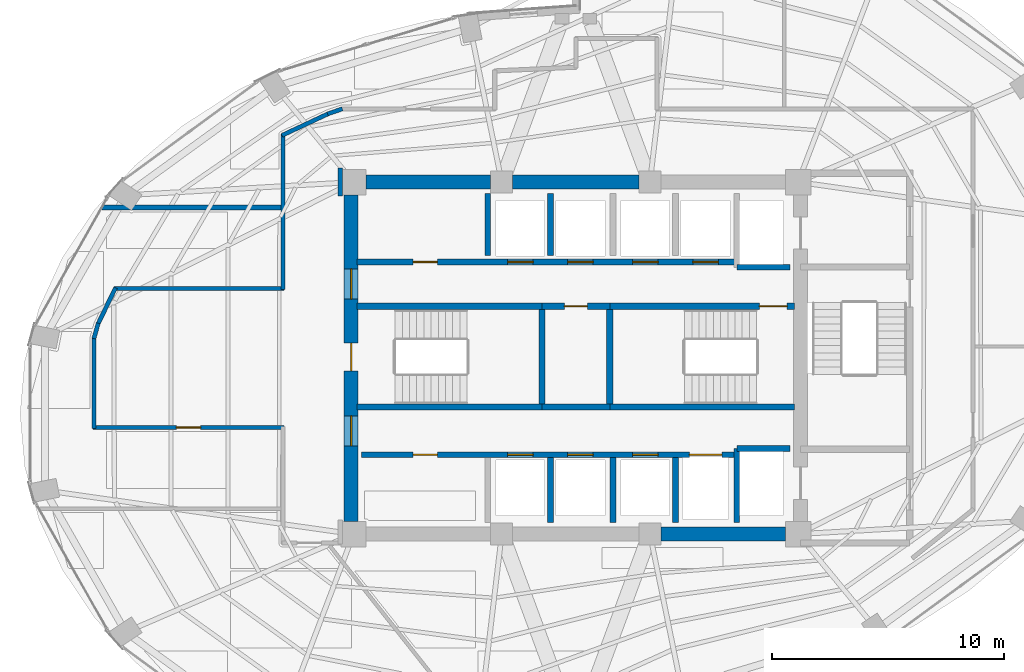
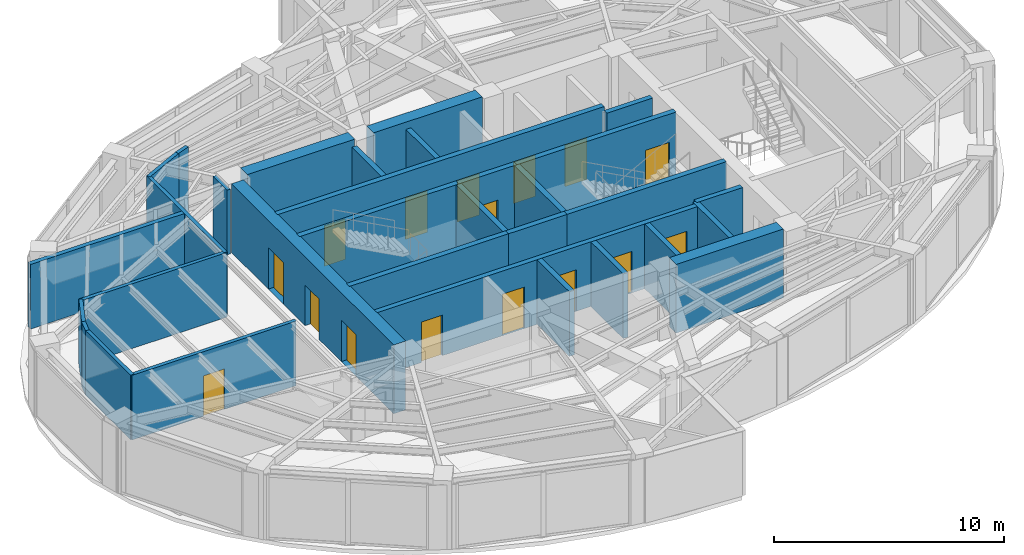
# One storey, part 16 of 20: 32 walls, 16 doors, 16 openings.
"""IFC4 building model written with IfcOpenShell, lengths in metres."""

from ifc_helpers import new_model, si_unit, direction, frame, frame_2d, origin, place, context, subcontext, project, spatial, rectangle, extrude, material, layer, layer_set, type_object, element, fill, save


model = new_model("IFC4")

# Units and contexts
model_context = context("Model", 3, precision=1e-05, world=origin(), true_north=direction((0.0, 1.0)))
body_context = subcontext(model_context, "Body", "Model", "MODEL_VIEW")
ifc_project = project(units=[si_unit("LENGTHUNIT", "METRE"), si_unit("AREAUNIT", "SQUARE_METRE"), si_unit("VOLUMEUNIT", "CUBIC_METRE"), si_unit("PLANEANGLEUNIT", "RADIAN"), si_unit("MASSUNIT", "GRAM", prefix="KILO")], contexts=[model_context])

# Site, building, storey
site_placement = place(None, origin())
site = spatial("IfcSite", under=ifc_project, at=site_placement, CompositionType="ELEMENT")
building_placement = place(site_placement, origin())
building = spatial("IfcBuilding", under=site, at=building_placement, Name="Lazwardi Medical Tower", CompositionType="ELEMENT")
storey_placement = place(building_placement, frame((0.0, 0.0, 149.23193359375)))
storey = spatial("IfcBuildingStorey", under=building, at=storey_placement, Name="L38", CompositionType="ELEMENT", Elevation=149.23193359375)

# Walls
ifc_material_1 = material(Name="Fire-rated gypsum board on steel stud", Category="steel")
ifc_layer_1 = layer(ifc_material_1, 0.179931640625)
ifc_layer_set_1 = layer_set([ifc_layer_1], Name="Fire-rated gypsum board on steel stud")
wall_type_1 = type_object("IfcWallType", Name="WL-COR-180", PredefinedType="PARTITIONING", material=ifc_layer_set_1)
wall_1_placement = place(storey_placement, frame((15.350341796875, 29.435791015625, 0.0), z_axis=(0.0, 0.0, 1.0), x_axis=(0.436196025907, 0.899851669434, 0.0)))
element("IfcWall", 1, at=wall_1_placement, inside=storey, type_object=wall_type_1, Name="L38 Corridor partition 1", PredefinedType="PARTITIONING", context=body_context, shape_type="SweptSolid", body=[
    extrude(rectangle(XDim=1.778076171875, YDim=0.179931640625, at=frame_2d((0.88916015625, 0.0))), origin(), (0.0, 0.0, 1.0), 3.427978515625),
])
wall_2_placement = place(storey_placement, frame((16.068359375, 31.0, 0.0), z_axis=(0.0, 0.0, 1.0), x_axis=(1.0, 0.0, 0.0)))
element("IfcWall", 2, at=wall_2_placement, inside=storey, type_object=wall_type_1, Name="L38 Corridor partition 2", PredefinedType="PARTITIONING", context=body_context, shape_type="SweptSolid", body=[
    extrude(rectangle(XDim=7.321533203125, YDim=0.179931640625, at=frame_2d((3.66064453125, 0.0))), origin(), (0.0, 0.0, 1.0), 3.427978515625),
])
wall_3_placement = place(storey_placement, frame((23.35009765625, 30.9599609375, 0.0), z_axis=(0.0, 0.0, 1.0), x_axis=(0.0, 1.0, 0.0)))
element("IfcWall", 3, at=wall_3_placement, inside=storey, type_object=wall_type_1, Name="L38 Corridor partition 3", PredefinedType="PARTITIONING", context=body_context, shape_type="SweptSolid", body=[
    extrude(rectangle(XDim=6.7138671875, YDim=0.179931640625, at=frame_2d((3.35693359375, 0.0))), origin(), (0.0, 0.0, 1.0), 3.427978515625),
])
wall_4_placement = place(storey_placement, frame((23.313720703125, 37.616943359375, 0.0), z_axis=(0.0, 0.0, 1.0), x_axis=(0.905731790856, 0.423851298255, 0.0)))
element("IfcWall", 4, at=wall_4_placement, inside=storey, type_object=wall_type_1, Name="L38 Corridor partition 4", PredefinedType="PARTITIONING", context=body_context, shape_type="SweptSolid", body=[
    extrude(rectangle(XDim=2.255126953125, YDim=0.179931640625, at=frame_2d((1.12744140625, 0.0))), origin(), (0.0, 0.0, 1.0), 3.427978515625),
])
wall_5_placement = place(storey_placement, frame((25.2822265625, 38.54248046875, 0.0), z_axis=(0.0, 0.0, 1.0), x_axis=(0.94508059942, 0.326837361085, 0.0)))
element("IfcWall", 5, at=wall_5_placement, inside=storey, type_object=wall_type_1, Name="L38 Corridor partition 5", PredefinedType="PARTITIONING", context=body_context, shape_type="SweptSolid", body=[
    extrude(rectangle(XDim=0.67529296875, YDim=0.179931640625, at=frame_2d((0.337646484375, 0.0))), origin(), (0.0, 0.0, 1.0), 3.427978515625),
])
wall_6_placement = place(storey_placement, frame((25.830078125, 36.2099609375, 0.0), z_axis=(0.0, 0.0, 1.0), x_axis=(0.0, -1.0, 0.0)))
element("IfcWall", 6, at=wall_6_placement, inside=storey, type_object=wall_type_1, Name="L38 Corridor partition 15", PredefinedType="PARTITIONING", context=body_context, shape_type="SweptSolid", body=[
    extrude(rectangle(XDim=1.219970703125, YDim=0.179931640625, at=frame_2d((0.60986328125, 0.0))), origin(), (0.0, 0.0, 1.0), 3.427978515625),
])

# Wall, opening, door
wall_7_placement = place(storey_placement, frame((23.389892578125, 25.0, 0.0), z_axis=(0.0, 0.0, 1.0), x_axis=(-1.0, 0.0, 0.0)))
wall_7 = element("IfcWall", 7, at=wall_7_placement, inside=storey, type_object=wall_type_1, Name="L38 Corridor partition 19", PredefinedType="PARTITIONING", context=body_context, shape_type="SweptSolid", body=[
    extrude(rectangle(XDim=8.22998046875, YDim=0.179931640625, at=frame_2d((4.114990234375, 0.0))), origin(), (0.0, 0.0, 1.0), 3.427978515625),
])
opening_1_placement = place(wall_7_placement, frame((3.590087890625, 0.0, 0.0)))
opening_1 = element("IfcOpeningElement", 8, at=opening_1_placement, cuts=wall_7, Name="Opening D-L38-008", PredefinedType="OPENING", context=body_context, shape_type="SweptSolid", body=[
    extrude(rectangle(XDim=1.050048828125, YDim=2.14990234375, at=frame_2d((0.52490234375, 1.074951171875))), frame((0.0, 0.099853515625, 0.0), z_axis=(0.0, -1.0, 0.0), x_axis=(1.0, 0.0, 0.0)), (0.0, 0.0, 1.0), 0.199951171875),
])
ifc_material_2 = material(Name="Anti-microbial laminate hospital leaf")
door_type_1 = type_object("IfcDoorType", Name="DR-CLN-1050", OperationType="NOTDEFINED", PredefinedType="DOOR", material=ifc_material_2)
door_1_placement = place(opening_1_placement, origin())
door_1 = element("IfcDoor", 9, at=door_1_placement, inside=storey, type_object=door_type_1, Name="L38 Outpatient Clinic Door 01", OperationType="SINGLE_SWING_RIGHT", OverallHeight=2.14990234375, OverallWidth=1.050048828125, PredefinedType="DOOR", context=body_context, shape_type="SweptSolid", body=[
    extrude(rectangle(XDim=1.050048828125, YDim=2.14990234375, at=frame_2d((0.52490234375, 1.074951171875))), frame((0.0, 0.02490234375, 0.0), z_axis=(0.0, -1.0, 0.0), x_axis=(1.0, 0.0, 0.0)), (0.0, 0.0, 1.0), 0.050048828125),
])
fill(opening_1, door_1)

# Walls
wall_8_placement = place(storey_placement, frame((15.199951171875, 24.9599609375, 0.0), z_axis=(0.0, 0.0, 1.0), x_axis=(0.0, 1.0, 0.0)))
element("IfcWall", 10, at=wall_8_placement, inside=storey, type_object=wall_type_1, Name="L38 Corridor partition 20", PredefinedType="PARTITIONING", context=body_context, shape_type="SweptSolid", body=[
    extrude(rectangle(XDim=3.961181640625, YDim=0.179931640625, at=frame_2d((1.98046875, 0.0))), origin(), (0.0, 0.0, 1.0), 3.427978515625),
])
wall_9_placement = place(storey_placement, frame((15.189208984375, 28.842529296875, 0.0), z_axis=(0.0, 0.0, 1.0), x_axis=(0.272862960331, 0.962052911684, 0.0)))
element("IfcWall", 11, at=wall_9_placement, inside=storey, type_object=wall_type_1, Name="L38 Corridor partition 21", PredefinedType="PARTITIONING", context=body_context, shape_type="SweptSolid", body=[
    extrude(rectangle(XDim=0.6943359375, YDim=0.179931640625, at=frame_2d((0.34716796875, 0.0))), origin(), (0.0, 0.0, 1.0), 3.427978515625),
])

# Wall, openings, doors
ifc_material_3 = material(Name="Concrete C60/75", Category="concrete")
ifc_layer_2 = layer(ifc_material_3, 0.60009765625)
ifc_layer_set_2 = layer_set([ifc_layer_2], Name="Concrete C60/75")
wall_type_2 = type_object("IfcWallType", Name="WL-CORE-600", PredefinedType="SHEAR", material=ifc_layer_set_2)
wall_10_placement = place(storey_placement, frame((26.300048828125, 20.949951171875, 0.0), z_axis=(0.0, 0.0, 1.0), x_axis=(0.0, 1.0, 0.0)))
wall_10 = element("IfcWall", 12, at=wall_10_placement, inside=storey, type_object=wall_type_2, Name="Core wall CW-S3 west L38", PredefinedType="SHEAR", context=body_context, shape_type="SweptSolid", body=[
    extrude(rectangle(XDim=14.10009765625, YDim=0.60009765625, at=frame_2d((7.050048828125, 0.0))), origin(), (0.0, 0.0, 1.0), 3.64794921875),
])
opening_2_placement = place(wall_10_placement, frame((6.5, 0.0, 0.0)))
opening_2 = element("IfcOpeningElement", 13, at=opening_2_placement, cuts=wall_10, Name="Opening D-L38-013", PredefinedType="OPENING", context=body_context, shape_type="SweptSolid", body=[
    extrude(rectangle(XDim=1.199951171875, YDim=2.14990234375, at=frame_2d((0.60009765625, 1.074951171875))), frame((0.0, 0.31005859375, 0.0), z_axis=(0.0, -1.0, 0.0), x_axis=(1.0, 0.0, 0.0)), (0.0, 0.0, 1.0), 0.6201171875),
])
opening_3_placement = place(wall_10_placement, frame((9.60009765625, 0.0, 0.0)))
opening_3 = element("IfcOpeningElement", 14, at=opening_3_placement, cuts=wall_10, Name="Opening D-L38-006", PredefinedType="OPENING", context=body_context, shape_type="SweptSolid", body=[
    extrude(rectangle(XDim=1.300048828125, YDim=2.199951171875, at=frame_2d((0.64990234375, 1.10009765625))), frame((0.0, 0.31005859375, 0.0), z_axis=(0.0, -1.0, 0.0), x_axis=(1.0, 0.0, 0.0)), (0.0, 0.0, 1.0), 0.6201171875),
])
opening_4_placement = place(wall_10_placement, frame((3.260009765625, 0.0, 0.0)))
opening_4 = element("IfcOpeningElement", 15, at=opening_4_placement, cuts=wall_10, Name="Opening D-L38-007", PredefinedType="OPENING", context=body_context, shape_type="SweptSolid", body=[
    extrude(rectangle(XDim=1.300048828125, YDim=2.199951171875, at=frame_2d((0.64990234375, 1.10009765625))), frame((0.0, 0.31005859375, 0.0), z_axis=(0.0, -1.0, 0.0), x_axis=(1.0, 0.0, 0.0)), (0.0, 0.0, 1.0), 0.6201171875),
])
ifc_material_4 = material(Name="Fire-rated steel leaf and frame", Category="steel")
door_type_2 = type_object("IfcDoorType", Name="DR-FFL-1300", OperationType="NOTDEFINED", PredefinedType="DOOR", material=ifc_material_4)
door_2_placement = place(opening_3_placement, origin())
door_2 = element("IfcDoor", 16, at=door_2_placement, inside=storey, type_object=door_type_2, Name="L38 North Lift Lobby Door", OperationType="SINGLE_SWING_LEFT", OverallHeight=2.199951171875, OverallWidth=1.300048828125, PredefinedType="DOOR", context=body_context, shape_type="SweptSolid", body=[
    extrude(rectangle(XDim=1.300048828125, YDim=2.199951171875, at=frame_2d((0.64990234375, 1.10009765625))), frame((0.0, 0.02490234375, 0.0), z_axis=(0.0, -1.0, 0.0), x_axis=(1.0, 0.0, 0.0)), (0.0, 0.0, 1.0), 0.050048828125),
])
fill(opening_3, door_2)
door_3_placement = place(opening_4_placement, origin())
door_3 = element("IfcDoor", 17, at=door_3_placement, inside=storey, type_object=door_type_2, Name="L38 South Lift Lobby Door", OperationType="SINGLE_SWING_RIGHT", OverallHeight=2.199951171875, OverallWidth=1.300048828125, PredefinedType="DOOR", context=body_context, shape_type="SweptSolid", body=[
    extrude(rectangle(XDim=1.300048828125, YDim=2.199951171875, at=frame_2d((0.64990234375, 1.10009765625))), frame((0.0, 0.02490234375, 0.0), z_axis=(0.0, -1.0, 0.0), x_axis=(1.0, 0.0, 0.0)), (0.0, 0.0, 1.0), 0.050048828125),
])
fill(opening_4, door_3)
door_type_3 = type_object("IfcDoorType", Name="DR-STR-1200", OperationType="NOTDEFINED", PredefinedType="DOOR", material=ifc_material_4)
door_4_placement = place(opening_2_placement, origin())
door_4 = element("IfcDoor", 18, at=door_4_placement, inside=storey, type_object=door_type_3, Name="L38 Exit Stair ST1 Door", OperationType="SINGLE_SWING_RIGHT", OverallHeight=2.14990234375, OverallWidth=1.199951171875, PredefinedType="DOOR", context=body_context, shape_type="SweptSolid", body=[
    extrude(rectangle(XDim=1.199951171875, YDim=2.14990234375, at=frame_2d((0.60009765625, 1.074951171875))), frame((0.0, 0.02490234375, 0.0), z_axis=(0.0, -1.0, 0.0), x_axis=(1.0, 0.0, 0.0)), (0.0, 0.0, 1.0), 0.050048828125),
])
fill(opening_2, door_4)

# Walls
wall_11_placement = place(storey_placement, frame((26.949951171875, 35.60009765625, 0.0), z_axis=(0.0, 0.0, 1.0), x_axis=(1.0, 0.0, 0.0)))
element("IfcWall", 19, at=wall_11_placement, inside=storey, type_object=wall_type_2, Name="Core wall CW-S3 N1 L38", PredefinedType="SHEAR", context=body_context, shape_type="SweptSolid", body=[
    extrude(rectangle(XDim=5.375, YDim=0.60009765625, at=frame_2d((2.6875, 0.0))), origin(), (0.0, 0.0, 1.0), 3.64794921875),
])
wall_12_placement = place(storey_placement, frame((33.27490234375, 35.60009765625, 0.0), z_axis=(0.0, 0.0, 1.0), x_axis=(1.0, 0.0, 0.0)))
element("IfcWall", 20, at=wall_12_placement, inside=storey, type_object=wall_type_2, Name="Core wall CW-S3 N2 L38", PredefinedType="SHEAR", context=body_context, shape_type="SweptSolid", body=[
    extrude(rectangle(XDim=5.4501953125, YDim=0.60009765625, at=frame_2d((2.72509765625, 0.0))), origin(), (0.0, 0.0, 1.0), 3.64794921875),
])
wall_13_placement = place(storey_placement, frame((39.675048828125, 20.39990234375, 0.0), z_axis=(0.0, 0.0, 1.0), x_axis=(1.0, 0.0, 0.0)))
element("IfcWall", 21, at=wall_13_placement, inside=storey, type_object=wall_type_2, Name="Core wall CW-S3 S3 L38", PredefinedType="SHEAR", context=body_context, shape_type="SweptSolid", body=[
    extrude(rectangle(XDim=5.375, YDim=0.60009765625, at=frame_2d((2.6875, 0.0))), origin(), (0.0, 0.0, 1.0), 3.64794921875),
])

# Wall, openings, doors
ifc_material_5 = material(Name="Autoclaved aerated concrete blockwork", Category="masonry")
ifc_layer_3 = layer(ifc_material_5, 0.25)
ifc_layer_set_3 = layer_set([ifc_layer_3], Name="Autoclaved aerated concrete blockwork")
wall_type_3 = type_object("IfcWallType", Name="WL-SHAFT-250", PredefinedType="SOLIDWALL", material=ifc_layer_set_3)
wall_14_placement = place(storey_placement, frame((26.75, 23.830078125, 0.0), z_axis=(0.0, 0.0, 1.0), x_axis=(1.0, 0.0, 0.0)))
wall_14 = element("IfcWall", 22, at=wall_14_placement, inside=storey, type_object=wall_type_3, Name="L38 South lift bank front wall", PredefinedType="SOLIDWALL", context=body_context, shape_type="SweptSolid", body=[
    extrude(rectangle(XDim=16.199951171875, YDim=0.25, at=frame_2d((8.10009765625, 0.0))), origin(), (0.0, 0.0, 1.0), 3.427978515625),
])
opening_5_placement = place(wall_14_placement, frame((2.22509765625, 0.0, 0.0)))
opening_5 = element("IfcOpeningElement", 23, at=opening_5_placement, cuts=wall_14, Name="Opening D-L38-003", PredefinedType="OPENING", context=body_context, shape_type="SweptSolid", body=[
    extrude(rectangle(XDim=1.050048828125, YDim=2.14990234375, at=frame_2d((0.52490234375, 1.074951171875))), frame((0.0, 0.135009765625, 0.0), z_axis=(0.0, -1.0, 0.0), x_axis=(1.0, 0.0, 0.0)), (0.0, 0.0, 1.0), 0.27001953125),
])
opening_6_placement = place(wall_14_placement, frame((6.300048828125, 0.0, 0.0)))
opening_6 = element("IfcOpeningElement", 24, at=opening_6_placement, cuts=wall_14, Name="Opening LD-L38-006", PredefinedType="OPENING", context=body_context, shape_type="SweptSolid", body=[
    extrude(rectangle(XDim=1.10009765625, YDim=2.199951171875, at=frame_2d((0.550048828125, 1.10009765625))), frame((0.0, 0.135009765625, 0.0), z_axis=(0.0, -1.0, 0.0), x_axis=(1.0, 0.0, 0.0)), (0.0, 0.0, 1.0), 0.27001953125),
])
opening_7_placement = place(wall_14_placement, frame((8.89990234375, 0.0, 0.0)))
opening_7 = element("IfcOpeningElement", 25, at=opening_7_placement, cuts=wall_14, Name="Opening LD-L38-007", PredefinedType="OPENING", context=body_context, shape_type="SweptSolid", body=[
    extrude(rectangle(XDim=1.10009765625, YDim=2.199951171875, at=frame_2d((0.550048828125, 1.10009765625))), frame((0.0, 0.135009765625, 0.0), z_axis=(0.0, -1.0, 0.0), x_axis=(1.0, 0.0, 0.0)), (0.0, 0.0, 1.0), 0.27001953125),
])
opening_8_placement = place(wall_14_placement, frame((11.699951171875, 0.0, 0.0)))
opening_8 = element("IfcOpeningElement", 26, at=opening_8_placement, cuts=wall_14, Name="Opening LD-L38-010", PredefinedType="OPENING", context=body_context, shape_type="SweptSolid", body=[
    extrude(rectangle(XDim=1.10009765625, YDim=2.199951171875, at=frame_2d((0.550048828125, 1.10009765625))), frame((0.0, 0.135009765625, 0.0), z_axis=(0.0, -1.0, 0.0), x_axis=(1.0, 0.0, 0.0)), (0.0, 0.0, 1.0), 0.27001953125),
])
opening_9_placement = place(wall_14_placement, frame((14.14990234375, 0.0, 0.0)))
opening_9 = element("IfcOpeningElement", 27, at=opening_9_placement, cuts=wall_14, Name="Opening LD-L38-003", PredefinedType="OPENING", context=body_context, shape_type="SweptSolid", body=[
    extrude(rectangle(XDim=1.39990234375, YDim=2.300048828125, at=frame_2d((0.699951171875, 1.14990234375))), frame((0.0, 0.135009765625, 0.0), z_axis=(0.0, -1.0, 0.0), x_axis=(1.0, 0.0, 0.0)), (0.0, 0.0, 1.0), 0.27001953125),
])
door_5_placement = place(opening_5_placement, origin())
door_5 = element("IfcDoor", 28, at=door_5_placement, inside=storey, type_object=door_type_1, Name="L38 Medication Door", OperationType="SINGLE_SWING_RIGHT", OverallHeight=2.14990234375, OverallWidth=1.050048828125, PredefinedType="DOOR", context=body_context, shape_type="SweptSolid", body=[
    extrude(rectangle(XDim=1.050048828125, YDim=2.14990234375, at=frame_2d((0.52490234375, 1.074951171875))), frame((0.0, 0.02490234375, 0.0), z_axis=(0.0, -1.0, 0.0), x_axis=(1.0, 0.0, 0.0)), (0.0, 0.0, 1.0), 0.050048828125),
])
fill(opening_5, door_5)
ifc_material_6 = material(Name="Brushed bronze stainless steel landing door", Category="steel")
door_type_4 = type_object("IfcDoorType", Name="DR-LFT-1100", OperationType="NOTDEFINED", PredefinedType="DOOR", material=ifc_material_6)
door_6_placement = place(opening_6_placement, origin())
door_6 = element("IfcDoor", 29, at=door_6_placement, inside=storey, type_object=door_type_4, Name="L38 Lift Landing Door PL-07", OperationType="SLIDING_TO_LEFT", OverallHeight=2.199951171875, OverallWidth=1.10009765625, PredefinedType="DOOR", context=body_context, shape_type="SweptSolid", body=[
    extrude(rectangle(XDim=1.10009765625, YDim=2.199951171875, at=frame_2d((0.550048828125, 1.10009765625))), frame((0.0, 0.02490234375, 0.0), z_axis=(0.0, -1.0, 0.0), x_axis=(1.0, 0.0, 0.0)), (0.0, 0.0, 1.0), 0.050048828125),
])
fill(opening_6, door_6)
door_7_placement = place(opening_7_placement, origin())
door_7 = element("IfcDoor", 30, at=door_7_placement, inside=storey, type_object=door_type_4, Name="L38 Lift Landing Door PL-08", OperationType="SLIDING_TO_LEFT", OverallHeight=2.199951171875, OverallWidth=1.10009765625, PredefinedType="DOOR", context=body_context, shape_type="SweptSolid", body=[
    extrude(rectangle(XDim=1.10009765625, YDim=2.199951171875, at=frame_2d((0.550048828125, 1.10009765625))), frame((0.0, 0.02490234375, 0.0), z_axis=(0.0, -1.0, 0.0), x_axis=(1.0, 0.0, 0.0)), (0.0, 0.0, 1.0), 0.050048828125),
])
fill(opening_7, door_7)
door_8_placement = place(opening_8_placement, origin())
door_8 = element("IfcDoor", 31, at=door_8_placement, inside=storey, type_object=door_type_4, Name="L38 Lift Landing Door PL-11", OperationType="SLIDING_TO_LEFT", OverallHeight=2.199951171875, OverallWidth=1.10009765625, PredefinedType="DOOR", context=body_context, shape_type="SweptSolid", body=[
    extrude(rectangle(XDim=1.10009765625, YDim=2.199951171875, at=frame_2d((0.550048828125, 1.10009765625))), frame((0.0, 0.02490234375, 0.0), z_axis=(0.0, -1.0, 0.0), x_axis=(1.0, 0.0, 0.0)), (0.0, 0.0, 1.0), 0.050048828125),
])
fill(opening_8, door_8)
ifc_material_7 = material(Name="Brushed stainless steel bed-lift landing door", Category="steel")
door_type_5 = type_object("IfcDoorType", Name="DR-LFT-1400", OperationType="NOTDEFINED", PredefinedType="DOOR", material=ifc_material_7)
door_9_placement = place(opening_9_placement, origin())
door_9 = element("IfcDoor", 32, at=door_9_placement, inside=storey, type_object=door_type_5, Name="L38 Lift Landing Door FL-03", OperationType="SLIDING_TO_LEFT", OverallHeight=2.300048828125, OverallWidth=1.39990234375, PredefinedType="DOOR", context=body_context, shape_type="SweptSolid", body=[
    extrude(rectangle(XDim=1.39990234375, YDim=2.300048828125, at=frame_2d((0.699951171875, 1.14990234375))), frame((0.0, 0.02490234375, 0.0), z_axis=(0.0, -1.0, 0.0), x_axis=(1.0, 0.0, 0.0)), (0.0, 0.0, 1.0), 0.050048828125),
])
fill(opening_9, door_9)

# Walls
wall_15_placement = place(storey_placement, frame((42.949951171875, 31.919921875, 0.0), z_axis=(0.0, 0.0, 1.0), x_axis=(1.0, 0.0, 0.0)))
element("IfcWall", 33, at=wall_15_placement, inside=storey, type_object=wall_type_3, Name="L38 FL-01 South shaft wall", PredefinedType="SOLIDWALL", context=body_context, shape_type="SweptSolid", body=[
    extrude(rectangle(XDim=2.300048828125, YDim=0.25, at=frame_2d((1.14990234375, 0.0))), origin(), (0.0, 0.0, 1.0), 3.427978515625),
])
wall_16_placement = place(storey_placement, frame((42.949951171875, 20.89990234375, 0.0), z_axis=(0.0, 0.0, 1.0), x_axis=(0.0, 1.0, 0.0)))
element("IfcWall", 34, at=wall_16_placement, inside=storey, type_object=wall_type_3, Name="L38 FL-02 West shaft wall", PredefinedType="SOLIDWALL", context=body_context, shape_type="SweptSolid", body=[
    extrude(rectangle(XDim=3.2001953125, YDim=0.25, at=frame_2d((1.60009765625, 0.0))), origin(), (0.0, 0.0, 1.0), 3.427978515625),
])
wall_17_placement = place(storey_placement, frame((42.949951171875, 24.10009765625, 0.0), z_axis=(0.0, 0.0, 1.0), x_axis=(1.0, 0.0, 0.0)))
element("IfcWall", 35, at=wall_17_placement, inside=storey, type_object=wall_type_3, Name="L38 FL-02 North shaft wall", PredefinedType="SOLIDWALL", context=body_context, shape_type="SweptSolid", body=[
    extrude(rectangle(XDim=2.300048828125, YDim=0.25, at=frame_2d((1.14990234375, 0.0))), origin(), (0.0, 0.0, 1.0), 3.427978515625),
])
for number, where, z_axis, x_axis, name in (
    (36, (32.199951171875, 32.419921875, 0.0), (0.0, 0.0, 1.0), (0.0, 1.0, 0.0), "L38 North hoistway divider"),
    (37, (34.89990234375, 32.419921875, 0.0), (0.0, 0.0, 1.0), (0.0, 1.0, 0.0), "L38 North hoistway divider"),
):
    element("IfcWall", number, at=place(storey_placement, frame(where, z_axis=z_axis, x_axis=x_axis)), inside=storey, type_object=wall_type_3, Name=name, PredefinedType="SOLIDWALL", context=body_context, shape_type="SweptSolid", body=[
        extrude(rectangle(XDim=2.68017578125, YDim=0.25, at=frame_2d((1.340087890625, 0.0))), origin(), (0.0, 0.0, 1.0), 3.427978515625),
    ])
for number, where, z_axis, x_axis, name in (
    (38, (34.89990234375, 20.89990234375, 0.0), (0.0, 0.0, 1.0), (0.0, 1.0, 0.0), "L38 South hoistway divider"),
    (39, (37.60009765625, 20.89990234375, 0.0), (0.0, 0.0, 1.0), (0.0, 1.0, 0.0), "L38 South hoistway divider"),
    (40, (40.300048828125, 20.89990234375, 0.0), (0.0, 0.0, 1.0), (0.0, 1.0, 0.0), "L38 South hoistway divider"),
):
    element("IfcWall", number, at=place(storey_placement, frame(where, z_axis=z_axis, x_axis=x_axis)), inside=storey, type_object=wall_type_3, Name=name, PredefinedType="SOLIDWALL", context=body_context, shape_type="SweptSolid", body=[
        extrude(rectangle(XDim=2.800048828125, YDim=0.25, at=frame_2d((1.39990234375, 0.0))), origin(), (0.0, 0.0, 1.0), 3.427978515625),
    ])
ifc_layer_4 = layer(ifc_material_1, 0.219970703125)
ifc_layer_set_4 = layer_set([ifc_layer_4], Name="Fire-rated gypsum board on steel stud")
wall_type_4 = type_object("IfcWallType", Name="WL-SMK-220", PredefinedType="PARTITIONING", material=ifc_layer_set_4)
wall_18_placement = place(storey_placement, frame((15.5439453125, 34.5, 0.0), z_axis=(0.0, 0.0, 1.0), x_axis=(1.0, 0.0, 0.0)))
element("IfcWall", 41, at=wall_18_placement, inside=storey, type_object=wall_type_4, Name="L38 Room partition 2", PredefinedType="PARTITIONING", context=body_context, shape_type="SweptSolid", body=[
    extrude(rectangle(XDim=7.716064453125, YDim=0.219970703125, at=frame_2d((3.85791015625, 0.0))), origin(), (0.0, 0.0, 1.0), 3.427978515625),
])
ifc_material_8 = material(Name="Concrete C50/60", Category="concrete")
ifc_layer_5 = layer(ifc_material_8, 0.27001953125)
ifc_layer_set_5 = layer_set([ifc_layer_5], Name="Concrete C50/60")
wall_type_5 = type_object("IfcWallType", Name="WL-STR-250", PredefinedType="SHEAR", material=ifc_layer_set_5)
wall_19_placement = place(storey_placement, frame((26.550048828125, 30.235107421875, 0.0), z_axis=(0.0, 0.0, 1.0), x_axis=(1.0, 0.0, 0.0)))
element("IfcWall", 42, at=wall_19_placement, inside=storey, type_object=wall_type_5, Name="L38 ST1 North shear shaft wall SW-S1", PredefinedType="SHEAR", context=body_context, shape_type="SweptSolid", body=[
    extrude(rectangle(XDim=7.98486328125, YDim=0.27001953125, at=frame_2d((3.992431640625, 0.0))), origin(), (0.0, 0.0, 1.0), 3.64794921875),
])

# Wall, opening, door
wall_20_placement = place(storey_placement, frame((34.534912109375, 30.235107421875, 0.0), z_axis=(0.0, 0.0, 1.0), x_axis=(1.0, 0.0, 0.0)))
wall_20 = element("IfcWall", 43, at=wall_20_placement, inside=storey, type_object=wall_type_5, Name="L38 Core service North shear wall SW-S1", PredefinedType="SHEAR", context=body_context, shape_type="SweptSolid", body=[
    extrude(rectangle(XDim=2.93017578125, YDim=0.27001953125, at=frame_2d((1.465087890625, 0.0))), origin(), (0.0, 0.0, 1.0), 3.64794921875),
])
opening_10_placement = place(wall_20_placement, frame((0.965087890625, 0.0, 0.0)))
opening_10 = element("IfcOpeningElement", 44, at=opening_10_placement, cuts=wall_20, Name="Opening D-L38-001", PredefinedType="OPENING", context=body_context, shape_type="SweptSolid", body=[
    extrude(rectangle(XDim=1.0, YDim=2.10009765625, at=frame_2d((0.5, 1.050048828125))), frame((0.0, 0.14501953125, 0.0), z_axis=(0.0, -1.0, 0.0), x_axis=(1.0, 0.0, 0.0)), (0.0, 0.0, 1.0), 0.2900390625),
])
ifc_material_9 = material(Name="Moisture-resistant laminate door leaf")
door_type_6 = type_object("IfcDoorType", Name="DR-AWC-1000", OperationType="NOTDEFINED", PredefinedType="DOOR", material=ifc_material_9)
door_10_placement = place(opening_10_placement, origin())
door_10 = element("IfcDoor", 45, at=door_10_placement, inside=storey, type_object=door_type_6, Name="L38 Accessible WC Door", OperationType="SINGLE_SWING_RIGHT", OverallHeight=2.10009765625, OverallWidth=1.0, PredefinedType="DOOR", context=body_context, shape_type="SweptSolid", body=[
    extrude(rectangle(XDim=1.0, YDim=2.10009765625, at=frame_2d((0.5, 1.050048828125))), frame((0.0, 0.02490234375, 0.0), z_axis=(0.0, -1.0, 0.0), x_axis=(1.0, 0.0, 0.0)), (0.0, 0.0, 1.0), 0.050048828125),
])
fill(opening_10, door_10)

wall_21_placement = place(storey_placement, frame((37.465087890625, 30.235107421875, 0.0), z_axis=(0.0, 0.0, 1.0), x_axis=(1.0, 0.0, 0.0)))
wall_21 = element("IfcWall", 46, at=wall_21_placement, inside=storey, type_object=wall_type_5, Name="L38 ST2 North shear shaft wall SW-S1", PredefinedType="SHEAR", context=body_context, shape_type="SweptSolid", body=[
    extrude(rectangle(XDim=7.98486328125, YDim=0.27001953125, at=frame_2d((3.992431640625, 0.0))), origin(), (0.0, 0.0, 1.0), 3.64794921875),
])
opening_11_placement = place(wall_21_placement, frame((6.455078125, 0.0, 0.0)))
opening_11 = element("IfcOpeningElement", 47, at=opening_11_placement, cuts=wall_21, Name="Opening D-L38-014", PredefinedType="OPENING", context=body_context, shape_type="SweptSolid", body=[
    extrude(rectangle(XDim=1.199951171875, YDim=2.14990234375, at=frame_2d((0.60009765625, 1.074951171875))), frame((0.0, 0.14501953125, 0.0), z_axis=(0.0, -1.0, 0.0), x_axis=(1.0, 0.0, 0.0)), (0.0, 0.0, 1.0), 0.2900390625),
])
door_11_placement = place(opening_11_placement, origin())
door_11 = element("IfcDoor", 48, at=door_11_placement, inside=storey, type_object=door_type_3, Name="L38 Exit Stair ST2 Door", OperationType="SINGLE_SWING_LEFT", OverallHeight=2.14990234375, OverallWidth=1.199951171875, PredefinedType="DOOR", context=body_context, shape_type="SweptSolid", body=[
    extrude(rectangle(XDim=1.199951171875, YDim=2.14990234375, at=frame_2d((0.60009765625, 1.074951171875))), frame((0.0, 0.02490234375, 0.0), z_axis=(0.0, -1.0, 0.0), x_axis=(1.0, 0.0, 0.0)), (0.0, 0.0, 1.0), 0.050048828125),
])
fill(opening_11, door_11)

# Walls
wall_22_placement = place(storey_placement, frame((26.550048828125, 25.885009765625, 0.0), z_axis=(0.0, 0.0, 1.0), x_axis=(1.0, 0.0, 0.0)))
element("IfcWall", 49, at=wall_22_placement, inside=storey, type_object=wall_type_5, Name="L38 ST1 South shear shaft wall SW-S1", PredefinedType="SHEAR", context=body_context, shape_type="SweptSolid", body=[
    extrude(rectangle(XDim=7.98486328125, YDim=0.27001953125, at=frame_2d((3.992431640625, 0.0))), origin(), (0.0, 0.0, 1.0), 3.64794921875),
])
wall_23_placement = place(storey_placement, frame((34.534912109375, 25.885009765625, 0.0), z_axis=(0.0, 0.0, 1.0), x_axis=(1.0, 0.0, 0.0)))
element("IfcWall", 50, at=wall_23_placement, inside=storey, type_object=wall_type_5, Name="L38 Core service South shear wall SW-S1", PredefinedType="SHEAR", context=body_context, shape_type="SweptSolid", body=[
    extrude(rectangle(XDim=2.93017578125, YDim=0.27001953125, at=frame_2d((1.465087890625, 0.0))), origin(), (0.0, 0.0, 1.0), 3.64794921875),
])
wall_24_placement = place(storey_placement, frame((37.465087890625, 25.885009765625, 0.0), z_axis=(0.0, 0.0, 1.0), x_axis=(1.0, 0.0, 0.0)))
element("IfcWall", 51, at=wall_24_placement, inside=storey, type_object=wall_type_5, Name="L38 ST2 South shear shaft wall SW-S1", PredefinedType="SHEAR", context=body_context, shape_type="SweptSolid", body=[
    extrude(rectangle(XDim=7.98486328125, YDim=0.27001953125, at=frame_2d((3.992431640625, 0.0))), origin(), (0.0, 0.0, 1.0), 3.64794921875),
])
for number, where, z_axis, x_axis, name in (
    (52, (34.534912109375, 26.02001953125, 0.0), (0.0, 0.0, 1.0), (0.0, 1.0, 0.0), "L38 ST1 East shear shaft wall SW-S1"),
    (53, (37.465087890625, 26.02001953125, 0.0), (0.0, 0.0, 1.0), (0.0, 1.0, 0.0), "L38 ST2 West shear shaft wall SW-S1"),
):
    element("IfcWall", number, at=place(storey_placement, frame(where, z_axis=z_axis, x_axis=x_axis)), inside=storey, type_object=wall_type_5, Name=name, PredefinedType="SHEAR", context=body_context, shape_type="SweptSolid", body=[
        extrude(rectangle(XDim=4.080078125, YDim=0.27001953125, at=frame_2d((2.0400390625, 0.0))), origin(), (0.0, 0.0, 1.0), 3.64794921875),
    ])

# Wall, openings, doors
wall_25_placement = place(storey_placement, frame((26.550048828125, 32.14990234375, 0.0), z_axis=(0.0, 0.0, 1.0), x_axis=(1.0, 0.0, 0.0)))
wall_25 = element("IfcWall", 54, at=wall_25_placement, inside=storey, type_object=wall_type_5, Name="L38 North lift bank shear wall SW-S1", PredefinedType="SHEAR", context=body_context, shape_type="SweptSolid", body=[
    extrude(rectangle(XDim=16.39990234375, YDim=0.27001953125, at=frame_2d((8.199951171875, 0.0))), origin(), (0.0, 0.0, 1.0), 3.64794921875),
])
opening_12_placement = place(wall_25_placement, frame((2.425048828125, 0.0, 0.0)))
opening_12 = element("IfcOpeningElement", 55, at=opening_12_placement, cuts=wall_25, Name="Opening D-L38-002", PredefinedType="OPENING", context=body_context, shape_type="SweptSolid", body=[
    extrude(rectangle(XDim=1.050048828125, YDim=2.14990234375, at=frame_2d((0.52490234375, 1.074951171875))), frame((0.0, 0.14501953125, 0.0), z_axis=(0.0, -1.0, 0.0), x_axis=(1.0, 0.0, 0.0)), (0.0, 0.0, 1.0), 0.2900390625),
])
opening_13_placement = place(wall_25_placement, frame((6.5, 0.0, 0.0)))
opening_13 = element("IfcOpeningElement", 56, at=opening_13_placement, cuts=wall_25, Name="Opening LD-L38-004", PredefinedType="OPENING", context=body_context, shape_type="SweptSolid", body=[
    extrude(rectangle(XDim=1.10009765625, YDim=2.199951171875, at=frame_2d((0.550048828125, 1.10009765625))), frame((0.0, 0.14501953125, 0.0), z_axis=(0.0, -1.0, 0.0), x_axis=(1.0, 0.0, 0.0)), (0.0, 0.0, 1.0), 0.2900390625),
])
opening_14_placement = place(wall_25_placement, frame((9.10009765625, 0.0, 0.0)))
opening_14 = element("IfcOpeningElement", 57, at=opening_14_placement, cuts=wall_25, Name="Opening LD-L38-005", PredefinedType="OPENING", context=body_context, shape_type="SweptSolid", body=[
    extrude(rectangle(XDim=1.10009765625, YDim=2.199951171875, at=frame_2d((0.550048828125, 1.10009765625))), frame((0.0, 0.14501953125, 0.0), z_axis=(0.0, -1.0, 0.0), x_axis=(1.0, 0.0, 0.0)), (0.0, 0.0, 1.0), 0.2900390625),
])
opening_15_placement = place(wall_25_placement, frame((11.89990234375, 0.0, 0.0)))
opening_15 = element("IfcOpeningElement", 58, at=opening_15_placement, cuts=wall_25, Name="Opening LD-L38-008", PredefinedType="OPENING", context=body_context, shape_type="SweptSolid", body=[
    extrude(rectangle(XDim=1.10009765625, YDim=2.199951171875, at=frame_2d((0.550048828125, 1.10009765625))), frame((0.0, 0.14501953125, 0.0), z_axis=(0.0, -1.0, 0.0), x_axis=(1.0, 0.0, 0.0)), (0.0, 0.0, 1.0), 0.2900390625),
])
opening_16_placement = place(wall_25_placement, frame((14.5, 0.0, 0.0)))
opening_16 = element("IfcOpeningElement", 59, at=opening_16_placement, cuts=wall_25, Name="Opening LD-L38-009", PredefinedType="OPENING", context=body_context, shape_type="SweptSolid", body=[
    extrude(rectangle(XDim=1.10009765625, YDim=2.199951171875, at=frame_2d((0.550048828125, 1.10009765625))), frame((0.0, 0.14501953125, 0.0), z_axis=(0.0, -1.0, 0.0), x_axis=(1.0, 0.0, 0.0)), (0.0, 0.0, 1.0), 0.2900390625),
])
door_12_placement = place(opening_12_placement, origin())
door_12 = element("IfcDoor", 60, at=door_12_placement, inside=storey, type_object=door_type_1, Name="L38 Telemedicine Door", OperationType="SINGLE_SWING_LEFT", OverallHeight=2.14990234375, OverallWidth=1.050048828125, PredefinedType="DOOR", context=body_context, shape_type="SweptSolid", body=[
    extrude(rectangle(XDim=1.050048828125, YDim=2.14990234375, at=frame_2d((0.52490234375, 1.074951171875))), frame((0.0, 0.02490234375, 0.0), z_axis=(0.0, -1.0, 0.0), x_axis=(1.0, 0.0, 0.0)), (0.0, 0.0, 1.0), 0.050048828125),
])
fill(opening_12, door_12)
door_13_placement = place(opening_13_placement, origin())
door_13 = element("IfcDoor", 61, at=door_13_placement, inside=storey, type_object=door_type_4, Name="L38 Lift Landing Door PL-05", OperationType="SLIDING_TO_LEFT", OverallHeight=2.199951171875, OverallWidth=1.10009765625, PredefinedType="DOOR", context=body_context, shape_type="SweptSolid", body=[
    extrude(rectangle(XDim=1.10009765625, YDim=2.199951171875, at=frame_2d((0.550048828125, 1.10009765625))), frame((0.0, 0.02490234375, 0.0), z_axis=(0.0, -1.0, 0.0), x_axis=(1.0, 0.0, 0.0)), (0.0, 0.0, 1.0), 0.050048828125),
])
fill(opening_13, door_13)
door_14_placement = place(opening_14_placement, origin())
door_14 = element("IfcDoor", 62, at=door_14_placement, inside=storey, type_object=door_type_4, Name="L38 Lift Landing Door PL-06", OperationType="SLIDING_TO_LEFT", OverallHeight=2.199951171875, OverallWidth=1.10009765625, PredefinedType="DOOR", context=body_context, shape_type="SweptSolid", body=[
    extrude(rectangle(XDim=1.10009765625, YDim=2.199951171875, at=frame_2d((0.550048828125, 1.10009765625))), frame((0.0, 0.02490234375, 0.0), z_axis=(0.0, -1.0, 0.0), x_axis=(1.0, 0.0, 0.0)), (0.0, 0.0, 1.0), 0.050048828125),
])
fill(opening_14, door_14)
door_15_placement = place(opening_15_placement, origin())
door_15 = element("IfcDoor", 63, at=door_15_placement, inside=storey, type_object=door_type_4, Name="L38 Lift Landing Door PL-09", OperationType="SLIDING_TO_LEFT", OverallHeight=2.199951171875, OverallWidth=1.10009765625, PredefinedType="DOOR", context=body_context, shape_type="SweptSolid", body=[
    extrude(rectangle(XDim=1.10009765625, YDim=2.199951171875, at=frame_2d((0.550048828125, 1.10009765625))), frame((0.0, 0.02490234375, 0.0), z_axis=(0.0, -1.0, 0.0), x_axis=(1.0, 0.0, 0.0)), (0.0, 0.0, 1.0), 0.050048828125),
])
fill(opening_15, door_15)
door_16_placement = place(opening_16_placement, origin())
door_16 = element("IfcDoor", 64, at=door_16_placement, inside=storey, type_object=door_type_4, Name="L38 Lift Landing Door PL-10", OperationType="SLIDING_TO_LEFT", OverallHeight=2.199951171875, OverallWidth=1.10009765625, PredefinedType="DOOR", context=body_context, shape_type="SweptSolid", body=[
    extrude(rectangle(XDim=1.10009765625, YDim=2.199951171875, at=frame_2d((0.550048828125, 1.10009765625))), frame((0.0, 0.02490234375, 0.0), z_axis=(0.0, -1.0, 0.0), x_axis=(1.0, 0.0, 0.0)), (0.0, 0.0, 1.0), 0.050048828125),
])
fill(opening_16, door_16)

save(model, "model.ifc")
